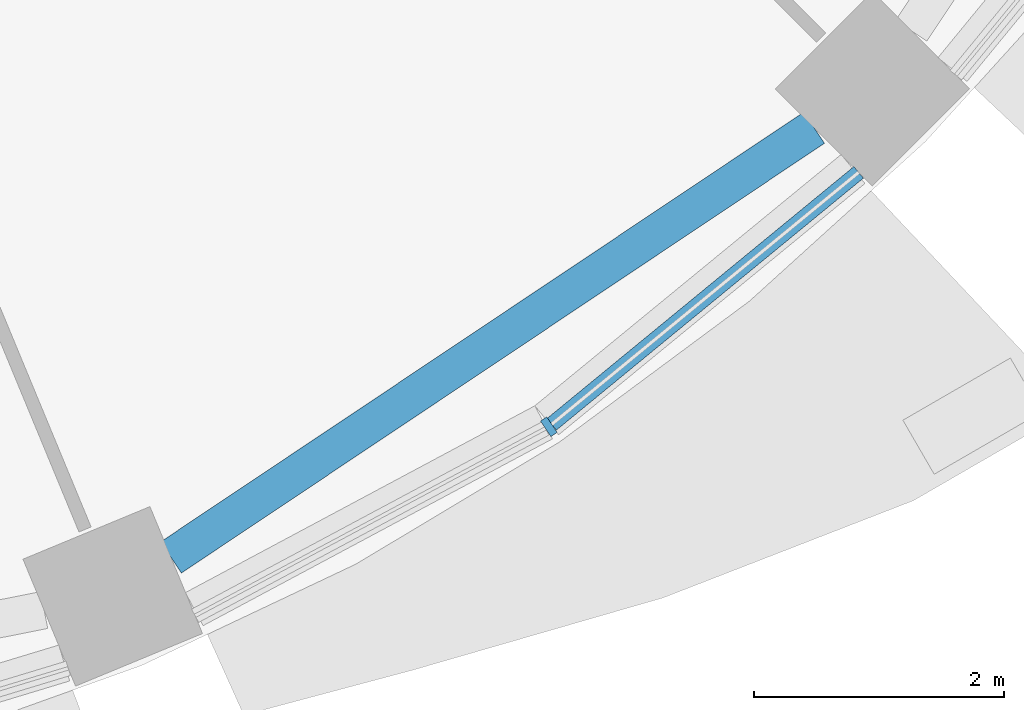
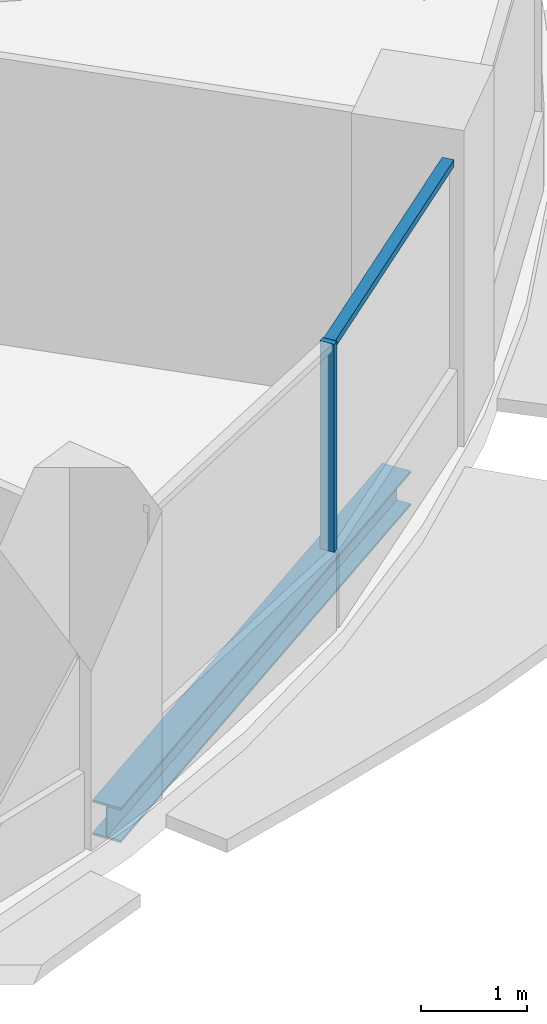
# One storey, part 3 of 15: 2 members, 1 beam, 1 element without a shape of its own.
"""IFC4 building model written with IfcOpenShell, lengths in metres."""

import ifcopenshell
import ifcopenshell.guid

model = None  # the IFC model being written
_history = None  # IfcOwnerHistory: only IFC2X3 demands one
_inside = {}  # id of a spatial element -> (the spatial element, [elements in it])
_under = {}  # id of a project, library or spatial element -> (it, [spatial elements below it])
_declared = {}  # id of a project -> (the project, [libraries it declares])
_typed = {}  # id of a type object -> (the type object, [elements of that type])
_made_of = {}  # id of a material, layer set ... -> (it, [elements and type objects made of it])


def new_model(schema):
    """Start an empty IFC model of exactly this schema.

    Asked for "IFC4X3", IfcOpenShell would pick the latest addendum, in which some entities
    have other attributes; the version numbers below select the first issue.
    IFC2X3 requires an IfcOwnerHistory on every rooted entity: one is made here for all.
    """
    global model, _history
    if schema == "IFC4X3":
        model = ifcopenshell.file(schema_version=(4, 3, 0, 0))
    else:
        model = ifcopenshell.file(schema=schema)
    _inside.clear()
    _under.clear()
    _declared.clear()
    _typed.clear()
    _made_of.clear()
    _history = None
    if model.schema == "IFC2X3":
        org = make("IfcOrganization", Name="unknown")
        user = make(
            "IfcPersonAndOrganization",
            ThePerson=make("IfcPerson", FamilyName="unknown"),
            TheOrganization=org,
        )
        app = make(
            "IfcApplication",
            ApplicationDeveloper=org,
            Version="unknown",
            ApplicationFullName="unknown",
            ApplicationIdentifier="unknown",
        )
        _history = make(
            "IfcOwnerHistory",
            OwningUser=user,
            OwningApplication=app,
            ChangeAction="ADDED",
            CreationDate=0,
        )
    return model


def make(cls, **values):
    """One entity of the class cls with the attributes given. An attribute that is None is left unset."""
    return model.create_entity(
        cls, **{name: value for name, value in values.items() if value is not None}
    )


def rooted(cls, **values):
    """An entity with a GlobalId (a new one), such as an element, a storey or a relation."""
    return make(cls, GlobalId=ifcopenshell.guid.new(), OwnerHistory=_history, **values)


def si_unit(unit_type, name, prefix=None):
    """IfcSIUnit, for example si_unit("LENGTHUNIT", "METRE", prefix="MILLI")."""
    return make("IfcSIUnit", UnitType=unit_type, Prefix=prefix, Name=name)


def assignment(units):
    """IfcUnitAssignment: the units of a project."""
    return None if units is None else make("IfcUnitAssignment", Units=units)


def point(xyz):
    """IfcCartesianPoint."""
    return None if xyz is None else make("IfcCartesianPoint", Coordinates=xyz)


def direction(xyz):
    """IfcDirection."""
    return None if xyz is None else make("IfcDirection", DirectionRatios=xyz)


def frame(location, z_axis=None, x_axis=None):
    """IfcAxis2Placement3D, a coordinate frame: its origin and axes. An axis left out is left unset."""
    return make(
        "IfcAxis2Placement3D",
        Location=point(location),
        Axis=direction(z_axis),
        RefDirection=direction(x_axis),
    )


def frame_2d(location, x_axis=None):
    """IfcAxis2Placement2D, a coordinate frame in the plane: its origin and x axis."""
    return make(
        "IfcAxis2Placement2D", Location=point(location), RefDirection=direction(x_axis)
    )


def origin():
    """The frame at (0, 0, 0) with its axes left unset."""
    return frame((0.0, 0.0, 0.0))


def origin_2d():
    """The frame at (0, 0) in the plane with its x axis left unset."""
    return frame_2d((0.0, 0.0))


def place(relative_to, where):
    """IfcLocalPlacement: puts the frame where relative to a parent placement (None: the world)."""
    return make(
        "IfcLocalPlacement", PlacementRelTo=relative_to, RelativePlacement=where
    )


def context(
    kind, dimensions, precision=None, world=None, true_north=None, identifier=None
):
    """IfcGeometricRepresentationContext, for example the 3D "Model" context."""
    return make(
        "IfcGeometricRepresentationContext",
        ContextIdentifier=identifier,
        ContextType=kind,
        CoordinateSpaceDimension=dimensions,
        Precision=precision,
        WorldCoordinateSystem=world,
        TrueNorth=true_north,
    )


def subcontext(parent, identifier, kind, view, scale=None):
    """IfcGeometricRepresentationSubContext, for example "Body" below "Model"."""
    return make(
        "IfcGeometricRepresentationSubContext",
        ContextIdentifier=identifier,
        ContextType=kind,
        ParentContext=parent,
        TargetScale=scale,
        TargetView=view,
    )


def project(units=None, contexts=None):
    """IfcProject with its units and contexts."""
    return rooted(
        "IfcProject",
        Name="project",
        RepresentationContexts=contexts,
        UnitsInContext=assignment(units),
    )


def spatial(cls, under=None, at=None, **own):
    """A site, building, storey or space (cls), placed at a placement, below another one or the project."""
    s = rooted(cls, ObjectPlacement=at, **own)
    if under is not None:
        _under.setdefault(under.id(), (under, []))[1].append(s)
    return s


def profile(cls, at=None, kind="AREA", **sizes):
    """A parametric profile (cls). Its sizes go by their IFC names, for example OverallWidth=200.0."""
    return make(cls, ProfileType=kind, Position=at, **sizes)


def rectangle(**sizes):
    """IfcRectangleProfileDef."""
    return profile("IfcRectangleProfileDef", **sizes)


def i_section(**sizes):
    """IfcIShapeProfileDef."""
    return profile("IfcIShapeProfileDef", **sizes)


def extrude(swept, where, along, depth):
    """IfcExtrudedAreaSolid: the profile swept, set in the frame where, extruded along a direction by depth."""
    return make(
        "IfcExtrudedAreaSolid",
        SweptArea=swept,
        Position=where,
        ExtrudedDirection=direction(along),
        Depth=depth,
    )


def shape(context_of_items, identifier, shape_type, items):
    """IfcShapeRepresentation: the items that make up one representation, for example the "Body"."""
    return make(
        "IfcShapeRepresentation",
        ContextOfItems=context_of_items,
        RepresentationIdentifier=identifier,
        RepresentationType=shape_type,
        Items=items,
    )


def material(Name=None, Category=None):
    """IfcMaterial."""
    return make("IfcMaterial", Name=Name, Category=Category)


def material_profile(
    of_material, cross_section, Name=None, Category=None, Priority=None
):
    """IfcMaterialProfile: a cross section and its material."""
    return make(
        "IfcMaterialProfile",
        Name=Name,
        Material=of_material,
        Profile=cross_section,
        Priority=Priority,
        Category=Category,
    )


def profile_set(profiles, Name=None, composite=None):
    """IfcMaterialProfileSet."""
    return make(
        "IfcMaterialProfileSet",
        Name=Name,
        MaterialProfiles=profiles,
        CompositeProfile=composite,
    )


def made_of(thing, what):
    """Note that an element or type object is made of a material, layer set ...; save() writes the relation."""
    if what is not None:
        _made_of.setdefault(what.id(), (what, []))[1].append(thing)
    return thing


def type_object(cls, material=None, **own):
    """A type object (cls), such as IfcWallType, which elements share."""
    return made_of(rooted(cls, **own), material)


def element(
    cls,
    number,
    at=None,
    inside=None,
    cuts=None,
    type_object=None,
    material=None,
    context=None,
    identifier="Body",
    shape_type=None,
    held_by="IfcProductDefinitionShape",
    body=None,
    shapes=None,
    **own,
):
    """One element of the class cls, such as IfcWall. Its Tag is "e" and its number.

    at: its placement. inside: the storey or other place that contains it. cuts: it is an
    opening in that element (IfcRelVoidsElement). A single representation is given by context,
    identifier, shape_type and body (its items); several are given by shapes. held_by: the class
    of the entity that holds the representations. save() writes the other relations.
    """
    e = rooted(cls, Tag="e%d" % number, ObjectPlacement=at, **own)
    if body is not None:
        shapes = [shape(context, identifier, shape_type, body)]
    if shapes is not None:
        e.Representation = make(held_by, Representations=shapes)
    if inside is not None:
        _inside.setdefault(inside.id(), (inside, []))[1].append(e)
    if cuts is not None:
        rooted(
            "IfcRelVoidsElement", RelatingBuildingElement=cuts, RelatedOpeningElement=e
        )
    if type_object is not None:
        _typed.setdefault(type_object.id(), (type_object, []))[1].append(e)
    return made_of(e, material)


def aggregate(whole, parts):
    """IfcRelAggregates: a whole, such as a stair, and the parts it consists of."""
    return rooted("IfcRelAggregates", RelatingObject=whole, RelatedObjects=parts)


def save(model, path):
    """Write the relations noted so far, then the file.

    IfcRelAggregates (storeys below a building ...), IfcRelContainedInSpatialStructure (elements
    in a storey), IfcRelDefinesByType, IfcRelAssociatesMaterial and IfcRelDeclares: one each for
    every whole, place, type object, material and project.
    """
    for whole, parts in _under.values():
        aggregate(whole, parts)
    for where, things in _inside.values():
        rooted(
            "IfcRelContainedInSpatialStructure",
            RelatedElements=things,
            RelatingStructure=where,
        )
    for kind, things in _typed.values():
        rooted("IfcRelDefinesByType", RelatedObjects=things, RelatingType=kind)
    for what, things in _made_of.values():
        rooted("IfcRelAssociatesMaterial", RelatedObjects=things, RelatingMaterial=what)
    for by, libraries in _declared.values():
        rooted("IfcRelDeclares", RelatingContext=by, RelatedDefinitions=libraries)
    model.write(path)


model = new_model("IFC4")

# Units and contexts
model_context = context("Model", 3, precision=1e-05, world=origin(), true_north=direction((0.0, 1.0)))
body_context = subcontext(model_context, "Body", "Model", "MODEL_VIEW")
ifc_project = project(units=[si_unit("LENGTHUNIT", "METRE"), si_unit("AREAUNIT", "SQUARE_METRE"), si_unit("VOLUMEUNIT", "CUBIC_METRE"), si_unit("PLANEANGLEUNIT", "RADIAN"), si_unit("MASSUNIT", "GRAM", prefix="KILO")], contexts=[model_context])

# Site, building, storey
site_placement = place(None, origin())
site = spatial("IfcSite", under=ifc_project, at=site_placement, CompositionType="ELEMENT")
building_placement = place(site_placement, origin())
building = spatial("IfcBuilding", under=site, at=building_placement, Name="Polderwave Tower", CompositionType="ELEMENT")
storey_placement = place(building_placement, frame((0.0, 0.0, 87.35009765625)))
storey = spatial("IfcBuildingStorey", under=building, at=storey_placement, Name="L22", CompositionType="ELEMENT", Elevation=87.35009765625)

# Curtain wall, members
ifc_material_1 = material(Name="Aluminium 6063-T6 and glass", Category="aluminium")
curtain_wall_type = type_object("IfcCurtainWallType", Name="Growing floor ribbon glazing wall", PredefinedType="NOTDEFINED", material=ifc_material_1)
curtain_wall_placement = place(storey_placement, origin())
curtain_wall = element("IfcCurtainWall", 1, at=curtain_wall_placement, inside=storey, type_object=curtain_wall_type, Name="CW2 L22 13", PredefinedType="NOTDEFINED")
ifc_material_2 = material(Name="Aluminium 6063-T6", Category="aluminium")
ifc_material_profile_1 = material_profile(ifc_material_2, rectangle(XDim=0.14990234375, YDim=0.06005859375, at=origin_2d()), Name="AL 60x150")
ifc_profile_set_1 = profile_set([ifc_material_profile_1], Name="Aluminium 6063-T6")
member_type_1 = type_object("IfcMemberType", Name="Growing floor ribbon glazing mullion 60x150", PredefinedType="MULLION", material=ifc_profile_set_1)
member_1_placement = place(storey_placement, frame((10.6669921875, -15.964111328125, 0.89990234375), z_axis=(0.0, 0.0, 1.0), x_axis=(-0.555607963342, 0.831444400469, 0.0)))
member_1 = element("IfcMember", 2, at=member_1_placement, type_object=member_type_1, Name="CW2 mullion 1", PredefinedType="MULLION", context=body_context, shape_type="SweptSolid", body=[
    extrude(rectangle(XDim=0.14990234375, YDim=0.06005859375, at=origin_2d()), origin(), (0.0, 0.0, 1.0), 2.39990234375),
])
ifc_material_profile_2 = material_profile(ifc_material_2, rectangle(XDim=0.1201171875, YDim=0.080078125, at=origin_2d()), Name="AL 80x120")
ifc_profile_set_2 = profile_set([ifc_material_profile_2], Name="Aluminium 6063-T6")
member_type_2 = type_object("IfcMemberType", Name="Growing floor ribbon glazing transom 80x120", PredefinedType="USERDEFINED", material=ifc_profile_set_2)
member_2_placement = place(storey_placement, frame((10.690185546875, -15.945068359375, 3.260009765625), z_axis=(0.772974924898, 0.634436573251, 0.0), x_axis=(-0.634436573251, 0.772974924898, 0.0)))
member_2 = element("IfcMember", 3, at=member_2_placement, type_object=member_type_2, Name="CW2 transom 2", ObjectType="TRANSOM", PredefinedType="USERDEFINED", context=body_context, shape_type="SweptSolid", body=[
    extrude(rectangle(XDim=0.1201171875, YDim=0.080078125, at=origin_2d()), origin(), (0.0, 0.0, 1.0), 3.180908203125),
])
aggregate(curtain_wall, [member_1, member_2])

# Beam
ifc_material_3 = material(Name="Steel S355", Category="steel")
ifc_material_profile_3 = material_profile(ifc_material_3, i_section(OverallWidth=0.300048828125, OverallDepth=0.39990234375, WebThickness=0.013427734375, FlangeThickness=0.02392578125, at=origin_2d()), Name="HE 400 B")
ifc_profile_set_3 = profile_set([ifc_material_profile_3], Name="Steel S355")
beam_type = type_object("IfcBeamType", Name="RING BEAM HE 400 B", PredefinedType="BEAM", material=ifc_profile_set_3)
beam_placement = place(storey_placement, frame((7.6416015625, -17.01123046875, -0.550048828125), z_axis=(0.831467728736, 0.555573051966, 0.0), x_axis=(-0.555573051966, 0.831467728736, 0.0)))
element("IfcBeam", 4, at=beam_placement, inside=storey, type_object=beam_type, Name="ST-RB-L22-13", PredefinedType="BEAM", context=body_context, shape_type="SweptSolid", body=[
    extrude(i_section(OverallWidth=0.300048828125, OverallDepth=0.39990234375, WebThickness=0.013427734375, FlangeThickness=0.02392578125, at=origin_2d()), origin(), (0.0, 0.0, 1.0), 6.1943359375),
])

save(model, "model.ifc")
